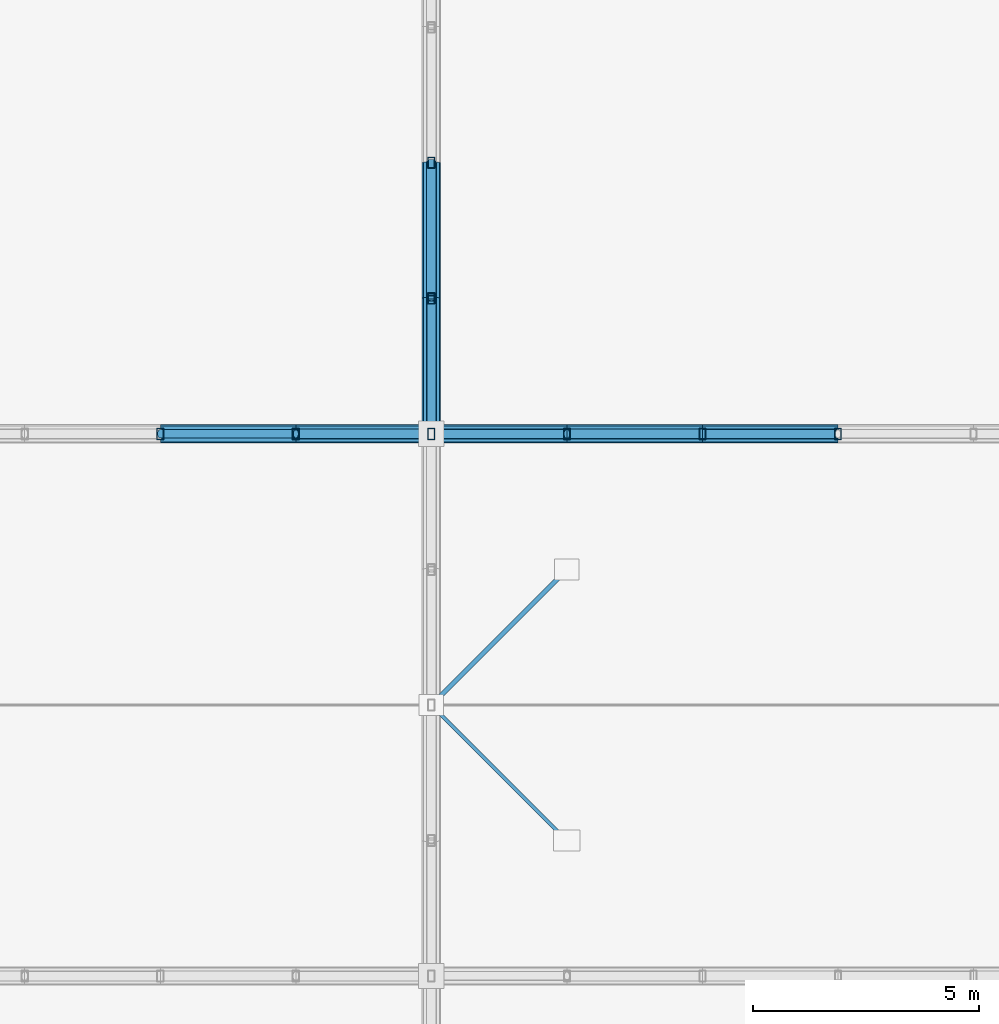
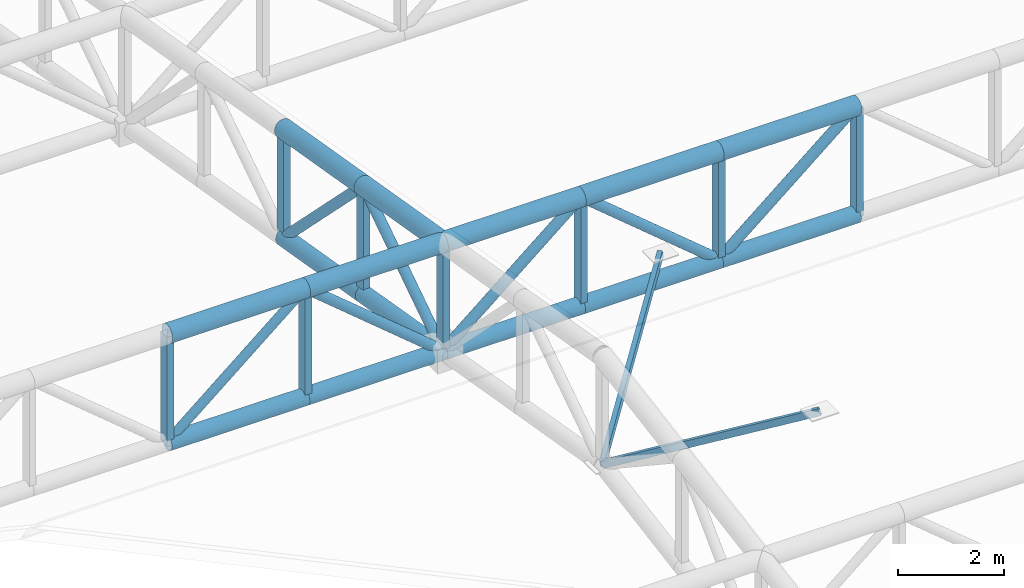
# One storey, part 94 of 239: 31 members.
"""IFC4 building model written with IfcOpenShell, lengths in metres."""

from ifc_helpers import new_model, si_unit, direction, frame, origin, origin_2d, place, context, subcontext, project, spatial, hollow_rectangle, hollow_circle, extrude, material, material_profile, profile_set, type_object, element, save


model = new_model("IFC4")

# Units and contexts
model_context = context("Model", 3, precision=1e-05, world=origin(), true_north=direction((0.0, 1.0)))
body_context = subcontext(model_context, "Body", "Model", "MODEL_VIEW")
ifc_project = project(units=[si_unit("LENGTHUNIT", "METRE"), si_unit("AREAUNIT", "SQUARE_METRE"), si_unit("VOLUMEUNIT", "CUBIC_METRE"), si_unit("PLANEANGLEUNIT", "RADIAN"), si_unit("MASSUNIT", "GRAM", prefix="KILO")], contexts=[model_context])

# Site, building, storey
site_placement = place(None, origin())
site = spatial("IfcSite", under=ifc_project, at=site_placement, CompositionType="ELEMENT")
building_placement = place(site_placement, origin())
building = spatial("IfcBuilding", under=site, at=building_placement, Name="Kaldris Quays Convention Centre", CompositionType="ELEMENT")
storey_placement = place(building_placement, frame((0.0, 0.0, 11.39990234375)))
storey = spatial("IfcBuildingStorey", under=building, at=storey_placement, Name="L02", CompositionType="ELEMENT", Elevation=11.39990234375)

# Members
ifc_material = material(Name="Steel S355J2H", Category="steel")
ifc_material_profile_1 = material_profile(ifc_material, hollow_circle(Radius=0.203125, WallThickness=0.01611328125, at=origin_2d()), Name="CHS 406.4x16")
ifc_profile_set_1 = profile_set([ifc_material_profile_1], Name="Steel S355J2H")
member_type_1 = type_object("IfcMemberType", Name="STRUCTURAL MEMBER SC01", PredefinedType="CHORD", material=ifc_profile_set_1)
for number, where, z_axis, x_axis, name in (
    (1, (68.0, 104.0, 15.84326171875), (1.0, 0.0, 0.0), (0.0, 1.0, 0.0), "SF-V1 Top Chord X 185"),
    (2, (71.0, 104.0, 15.84326171875), (1.0, 0.0, 0.0), (0.0, 1.0, 0.0), "SF-V1 Top Chord X 186"),
    (3, (74.0, 104.0, 15.84326171875), (1.0, 0.0, 0.0), (0.0, 1.0, 0.0), "SF-V1 Top Chord X 187"),
    (4, (77.0, 104.0, 15.84326171875), (1.0, 0.0, 0.0), (0.0, 1.0, 0.0), "SF-V1 Top Chord X 188"),
    (5, (80.0, 104.0, 15.84326171875), (1.0, 0.0, 0.0), (0.0, 1.0, 0.0), "SF-V1 Top Chord X 189"),
):
    element("IfcMember", number, at=place(storey_placement, frame(where, z_axis=z_axis, x_axis=x_axis)), inside=storey, type_object=member_type_1, Name=name, PredefinedType="CHORD", context=body_context, shape_type="SweptSolid", body=[
        extrude(hollow_circle(Radius=0.203125, WallThickness=0.01611328125, at=origin_2d()), origin(), (0.0, 0.0, 1.0), 3.0),
    ])
for number, where, z_axis, x_axis, name in (
    (6, (74.0, 104.0, 15.84326171875), (0.0, 0.98562912375, -0.168923741424), (-1.0, 0.0, 0.0), "SF-V1 Top Chord Y 437"),
    (7, (74.0, 107.0, 15.3291015625), (0.0, 0.985615766076, -0.169001661712), (-1.0, 0.0, 0.0), "SF-V1 Top Chord Y 438"),
):
    element("IfcMember", number, at=place(storey_placement, frame(where, z_axis=z_axis, x_axis=x_axis)), inside=storey, type_object=member_type_1, Name=name, PredefinedType="CHORD", context=body_context, shape_type="SweptSolid", body=[
        extrude(hollow_circle(Radius=0.203125, WallThickness=0.01611328125, at=origin_2d()), origin(), (0.0, 0.0, 1.0), 3.043701171875),
    ])
ifc_material_profile_2 = material_profile(ifc_material, hollow_circle(Radius=0.177734375, WallThickness=0.01611328125, at=origin_2d()), Name="CHS 355.6x16")
ifc_profile_set_2 = profile_set([ifc_material_profile_2], Name="Steel S355J2H")
member_type_2 = type_object("IfcMemberType", Name="STRUCTURAL MEMBER SC02", PredefinedType="CHORD", material=ifc_profile_set_2)
for number, where, z_axis, x_axis, name in (
    (8, (68.0, 104.0, 13.34326171875), (1.0, 0.0, 0.0), (0.0, 1.0, 0.0), "SF-V1 Bottom Chord X 185"),
    (9, (71.0, 104.0, 13.34326171875), (1.0, 0.0, 0.0), (0.0, 1.0, 0.0), "SF-V1 Bottom Chord X 186"),
    (10, (74.0, 104.0, 13.34326171875), (1.0, 0.0, 0.0), (0.0, 1.0, 0.0), "SF-V1 Bottom Chord X 187"),
    (11, (77.0, 104.0, 13.34326171875), (1.0, 0.0, 0.0), (0.0, 1.0, 0.0), "SF-V1 Bottom Chord X 188"),
    (12, (80.0, 104.0, 13.34326171875), (1.0, 0.0, 0.0), (0.0, 1.0, 0.0), "SF-V1 Bottom Chord X 189"),
):
    element("IfcMember", number, at=place(storey_placement, frame(where, z_axis=z_axis, x_axis=x_axis)), inside=storey, type_object=member_type_2, Name=name, PredefinedType="CHORD", context=body_context, shape_type="SweptSolid", body=[
        extrude(hollow_circle(Radius=0.177734375, WallThickness=0.01611328125, at=origin_2d()), origin(), (0.0, 0.0, 1.0), 3.0),
    ])
for number, where, z_axis, x_axis, name in (
    (13, (74.0, 104.0, 13.34326171875), (0.0, 0.98562912375, -0.168923741424), (-1.0, 0.0, 0.0), "SF-V1 Bottom Chord Y 437"),
    (14, (74.0, 107.0, 12.8291015625), (0.0, 0.985615766076, -0.169001661712), (-1.0, 0.0, 0.0), "SF-V1 Bottom Chord Y 438"),
):
    element("IfcMember", number, at=place(storey_placement, frame(where, z_axis=z_axis, x_axis=x_axis)), inside=storey, type_object=member_type_2, Name=name, PredefinedType="CHORD", context=body_context, shape_type="SweptSolid", body=[
        extrude(hollow_circle(Radius=0.177734375, WallThickness=0.01611328125, at=origin_2d()), origin(), (0.0, 0.0, 1.0), 3.043701171875),
    ])
ifc_material_profile_3 = material_profile(ifc_material, hollow_circle(Radius=0.109619140625, WallThickness=0.010009765625, at=origin_2d()), Name="CHS 219.1x10")
ifc_profile_set_3 = profile_set([ifc_material_profile_3], Name="Steel S355J2H")
member_type_3 = type_object("IfcMemberType", Name="STRUCTURAL MEMBER SWB1", PredefinedType="BRACE", material=ifc_profile_set_3)
for number, where, z_axis, x_axis, name in (
    (15, (74.0, 104.0, 13.34326171875), (-0.768221279597, 0.0, 0.640184399664), (0.0, -1.0, 0.0), "SF-V1 Web Diagonal X 186"),
    (16, (74.0, 104.0, 13.34326171875), (0.768221279597, 0.0, 0.640184399664), (0.0, 1.0, 0.0), "SF-V1 Web Diagonal X 187"),
    (17, (80.0, 104.0, 13.34326171875), (-0.768221279597, 0.0, 0.640184399664), (0.0, -1.0, 0.0), "SF-V1 Web Diagonal X 188"),
    (18, (80.0, 104.0, 13.34326171875), (0.768221279597, 0.0, 0.640184399664), (0.0, 1.0, 0.0), "SF-V1 Web Diagonal X 189"),
):
    element("IfcMember", number, at=place(storey_placement, frame(where, z_axis=z_axis, x_axis=x_axis)), inside=storey, type_object=member_type_3, Name=name, PredefinedType="BRACE", context=body_context, shape_type="SweptSolid", body=[
        extrude(hollow_circle(Radius=0.109619140625, WallThickness=0.010009765625, at=origin_2d()), origin(), (0.0, 0.0, 1.0), 3.905029296875),
    ])
member_1_placement = place(storey_placement, frame((74.0, 104.0, 13.34326171875), z_axis=(0.0, 0.833862389808, 0.551972385962), x_axis=(-1.0, 0.0, 0.0)))
element("IfcMember", 19, at=member_1_placement, inside=storey, type_object=member_type_3, Name="SF-V1 Web Diagonal Y 437", PredefinedType="BRACE", context=body_context, shape_type="SweptSolid", body=[
    extrude(hollow_circle(Radius=0.109619140625, WallThickness=0.010009765625, at=origin_2d()), origin(), (0.0, 0.0, 1.0), 3.59765625),
])
member_2_placement = place(storey_placement, frame((74.0, 110.0, 12.314697265625), z_axis=(0.0, -0.705411261057, 0.708798245465), x_axis=(1.0, 0.0, 0.0)))
element("IfcMember", 20, at=member_2_placement, inside=storey, type_object=member_type_3, Name="SF-V1 Web Diagonal Y 438", PredefinedType="BRACE", context=body_context, shape_type="SweptSolid", body=[
    extrude(hollow_circle(Radius=0.109619140625, WallThickness=0.010009765625, at=origin_2d()), origin(), (0.0, 0.0, 1.0), 4.2529296875),
])
ifc_material_profile_4 = material_profile(ifc_material, hollow_circle(Radius=0.096923828125, WallThickness=0.008056640625, at=origin_2d()), Name="CHS 193.7x8")
ifc_profile_set_4 = profile_set([ifc_material_profile_4], Name="Steel S355J2H")
member_type_4 = type_object("IfcMemberType", Name="STRUCTURAL MEMBER SWB3", PredefinedType="BRACE", material=ifc_profile_set_4)
member_3_placement = place(storey_placement, frame((68.0, 104.0, 13.34326171875), z_axis=(0.768221279597, 0.0, 0.640184399664), x_axis=(0.0, 1.0, 0.0)))
element("IfcMember", 21, at=member_3_placement, inside=storey, type_object=member_type_4, Name="SF-V1 Web Diagonal X 185", PredefinedType="BRACE", context=body_context, shape_type="SweptSolid", body=[
    extrude(hollow_circle(Radius=0.096923828125, WallThickness=0.008056640625, at=origin_2d()), origin(), (0.0, 0.0, 1.0), 3.905029296875),
])
ifc_material_profile_5 = material_profile(ifc_material, hollow_rectangle(XDim=0.14990234375, YDim=0.25, WallThickness=0.010009765625, at=origin_2d()), Name="RHS 250x150x10")
ifc_profile_set_5 = profile_set([ifc_material_profile_5], Name="Steel S355J2H")
member_type_5 = type_object("IfcMemberType", Name="STRUCTURAL MEMBER TTV1", PredefinedType="POST", material=ifc_profile_set_5)
for number, where, z_axis, x_axis, name in (
    (22, (68.0, 104.0, 13.34326171875), (0.0, 0.0, 1.0), (1.0, 0.0, 0.0), "SF-V1 Space-Frame Post 196"),
    (23, (71.0, 104.0, 13.34326171875), (0.0, 0.0, 1.0), (1.0, 0.0, 0.0), "SF-V1 Space-Frame Post 204"),
    (24, (74.0, 104.0, 13.34326171875), (0.0, 0.0, 1.0), (1.0, 0.0, 0.0), "SF-V1 Space-Frame Post 224"),
    (25, (74.0, 107.0, 12.8291015625), (0.0, 0.0, 1.0), (1.0, 0.0, 0.0), "SF-V1 Space-Frame Post 225"),
    (26, (74.0, 110.0, 12.314697265625), (0.0, 0.0, 1.0), (1.0, 0.0, 0.0), "SF-V1 Space-Frame Post 226"),
    (27, (77.0, 104.0, 13.34326171875), (0.0, 0.0, 1.0), (1.0, 0.0, 0.0), "SF-V1 Space-Frame Post 241"),
    (28, (80.0, 104.0, 13.34326171875), (0.0, 0.0, 1.0), (1.0, 0.0, 0.0), "SF-V1 Space-Frame Post 249"),
    (29, (83.0, 104.0, 13.34326171875), (0.0, 0.0, 1.0), (1.0, 0.0, 0.0), "SF-V1 Space-Frame Post 257"),
):
    element("IfcMember", number, at=place(storey_placement, frame(where, z_axis=z_axis, x_axis=x_axis)), inside=storey, type_object=member_type_5, Name=name, PredefinedType="POST", context=body_context, shape_type="SweptSolid", body=[
        extrude(hollow_rectangle(XDim=0.14990234375, YDim=0.25, WallThickness=0.010009765625, at=origin_2d()), origin(), (0.0, 0.0, 1.0), 2.5),
    ])
ifc_material_profile_6 = material_profile(ifc_material, hollow_rectangle(XDim=0.10009765625, YDim=0.199951171875, WallThickness=0.008056640625, at=origin_2d()), Name="RHS 200x100x8")
ifc_profile_set_6 = profile_set([ifc_material_profile_6], Name="Steel S355J2H")
member_type_6 = type_object("IfcMemberType", Name="STRUCTURAL MEMBER WS01", PredefinedType="STRUT", material=ifc_profile_set_6)
member_4_placement = place(storey_placement, frame((74.0, 98.0, 14.371826171875), z_axis=(0.640424167839, 0.640424167839, 0.423926609798), x_axis=(-0.707106781187, 0.707106781187, 0.0)))
element("IfcMember", 30, at=member_4_placement, inside=storey, type_object=member_type_6, Name="SF-V1 Interior Space-Frame Plan Diagonal Strut 5", PredefinedType="STRUT", context=body_context, shape_type="SweptSolid", body=[
    extrude(hollow_rectangle(XDim=0.10009765625, YDim=0.199951171875, WallThickness=0.008056640625, at=origin_2d()), origin(), (0.0, 0.0, 1.0), 4.684326171875),
])
ifc_material_profile_7 = material_profile(ifc_material, hollow_rectangle(XDim=0.080078125, YDim=0.159912109375, WallThickness=0.00634765625, at=origin_2d()), Name="RHS 160x80x6.3")
ifc_profile_set_7 = profile_set([ifc_material_profile_7], Name="Steel S355J2H")
member_type_7 = type_object("IfcMemberType", Name="STRUCTURAL MEMBER WS02", PredefinedType="STRUT", material=ifc_profile_set_7)
member_5_placement = place(storey_placement, frame((74.0, 98.0, 14.371826171875), z_axis=(0.640424167839, -0.640424167839, 0.423926609798), x_axis=(0.707106781187, 0.707106781187, 0.0)))
element("IfcMember", 31, at=member_5_placement, inside=storey, type_object=member_type_7, Name="SF-V1 Interior Space-Frame Plan Diagonal Strut 6", PredefinedType="STRUT", context=body_context, shape_type="SweptSolid", body=[
    extrude(hollow_rectangle(XDim=0.080078125, YDim=0.159912109375, WallThickness=0.00634765625, at=origin_2d()), origin(), (0.0, 0.0, 1.0), 4.684326171875),
])

save(model, "model.ifc")
